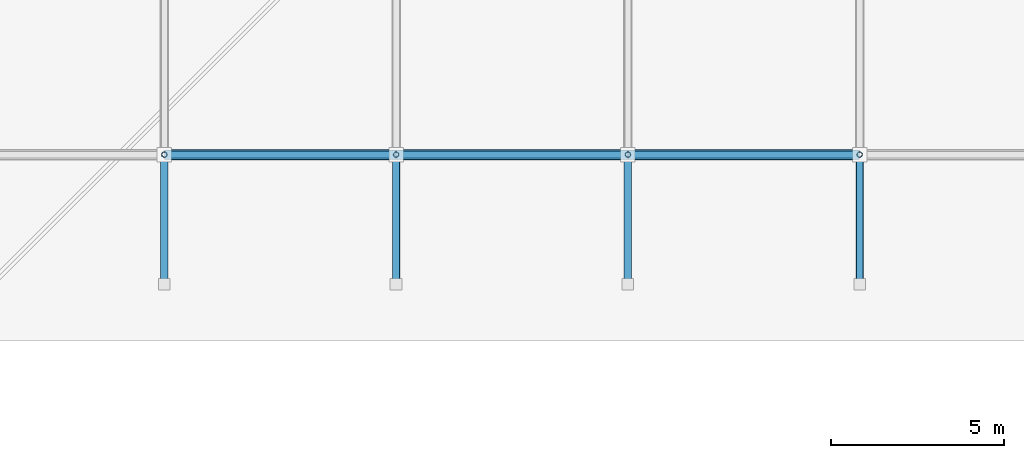
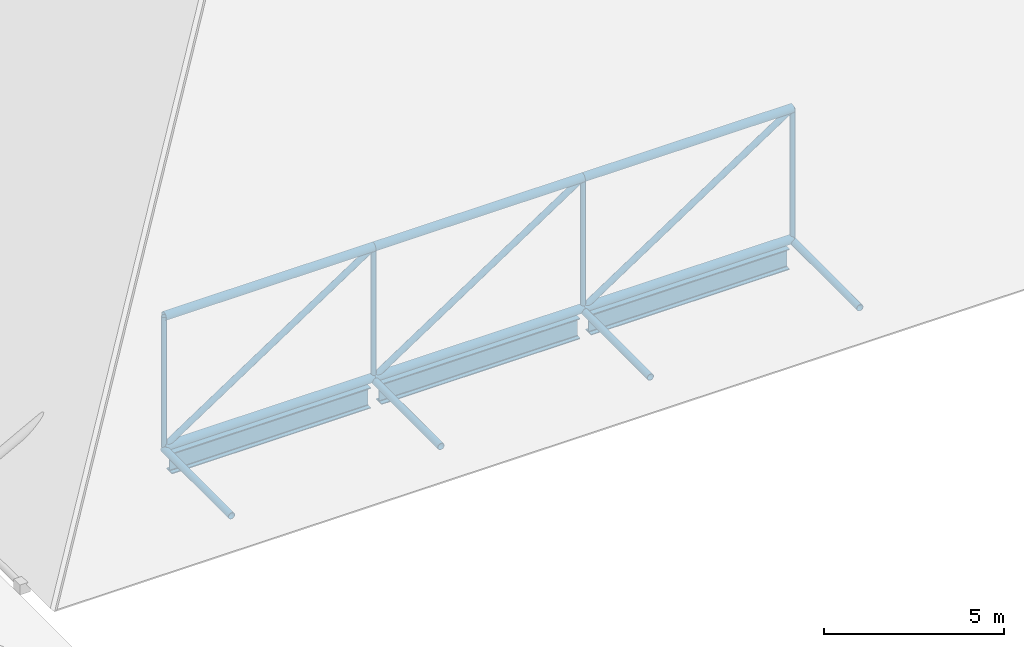
# One storey, part 24 of 77: 17 members, 3 beams.
"""IFC4 building model written with IfcOpenShell, lengths in metres."""

from ifc_helpers import new_model, si_unit, direction, frame, origin, origin_2d, place, context, subcontext, project, spatial, hollow_circle, i_section, extrude, material, material_profile, profile_set, type_object, element, save


model = new_model("IFC4")

# Units and contexts
model_context = context("Model", 3, precision=1e-05, world=origin(), true_north=direction((0.0, 1.0)))
body_context = subcontext(model_context, "Body", "Model", "MODEL_VIEW")
ifc_project = project(units=[si_unit("LENGTHUNIT", "METRE"), si_unit("AREAUNIT", "SQUARE_METRE"), si_unit("VOLUMEUNIT", "CUBIC_METRE"), si_unit("PLANEANGLEUNIT", "RADIAN"), si_unit("MASSUNIT", "GRAM", prefix="KILO")], contexts=[model_context])

# Site, building, storey
site_placement = place(None, origin())
site = spatial("IfcSite", under=ifc_project, at=site_placement, CompositionType="ELEMENT")
building_placement = place(site_placement, origin())
building = spatial("IfcBuilding", under=site, at=building_placement, Name="Nabrawat Pavilion Hospital", CompositionType="ELEMENT")
storey_placement = place(building_placement, frame((0.0, 0.0, 14.85009765625)))
storey = spatial("IfcBuildingStorey", under=building, at=storey_placement, Name="L03", CompositionType="ELEMENT", Elevation=14.85009765625)

# Beams
ifc_material = material(Name="Steel S355", Category="steel")
ifc_material_profile_1 = material_profile(ifc_material, i_section(OverallWidth=0.300048828125, OverallDepth=0.699951171875, WebThickness=0.01708984375, FlangeThickness=0.031982421875, FilletRadius=0.027099609375, at=origin_2d()), Name="HEB 700")
ifc_profile_set_1 = profile_set([ifc_material_profile_1], Name="Steel S355")
beam_type = type_object("IfcBeamType", Name="Main Hall Space-Frame Perimeter Ring Girder HEB 700", PredefinedType="USERDEFINED", material=ifc_profile_set_1)
for number, where, z_axis, x_axis, name in (
    (1, (65.80126953125, 15.60009765625, -0.60009765625), (1.0, 0.0, 0.0), (0.0, 1.0, 0.0), "L03 Main Hall Space-Frame Perimeter Ring Girder 1429"),
    (2, (72.50927734375, 15.60009765625, -0.60009765625), (1.0, 0.0, 0.0), (0.0, 1.0, 0.0), "L03 Main Hall Space-Frame Perimeter Ring Girder 1430"),
    (3, (79.21728515625, 15.60009765625, -0.60009765625), (1.0, 0.0, 0.0), (0.0, 1.0, 0.0), "L03 Main Hall Space-Frame Perimeter Ring Girder 1431"),
):
    element("IfcBeam", number, at=place(storey_placement, frame(where, z_axis=z_axis, x_axis=x_axis)), inside=storey, type_object=beam_type, Name=name, ObjectType="GIRDER", PredefinedType="USERDEFINED", context=body_context, shape_type="SweptSolid", body=[
        extrude(i_section(OverallWidth=0.300048828125, OverallDepth=0.699951171875, WebThickness=0.01708984375, FlangeThickness=0.031982421875, FilletRadius=0.027099609375, at=origin_2d()), origin(), (0.0, 0.0, 1.0), 6.361572265625),
    ])

# Members
ifc_material_profile_2 = material_profile(ifc_material, hollow_circle(Radius=0.109619140625, WallThickness=0.012451171875, at=origin_2d()), Name="CHS 219.1x12.5")
ifc_profile_set_2 = profile_set([ifc_material_profile_2], Name="Steel S355")
member_type_1 = type_object("IfcMemberType", Name="Space Frame Overhanging Eave Strut CHS 219.1x12.5", PredefinedType="STRUT", material=ifc_profile_set_2)
for number, where, z_axis, x_axis, name in (
    (4, (65.6279296875, 15.60009765625, -0.110107421875), (0.0, -0.999996437516, -0.002669261324), (1.0, 0.0, 0.0), "Space Frame Overhanging Eave Strut South 0266"),
    (5, (72.3359375, 15.60009765625, -0.110107421875), (0.0, -0.999996437516, -0.002669261324), (1.0, 0.0, 0.0), "Space Frame Overhanging Eave Strut South 0268"),
    (6, (79.0439453125, 15.60009765625, -0.110107421875), (0.0, -0.999996437516, -0.002669261324), (1.0, 0.0, 0.0), "Space Frame Overhanging Eave Strut South 0270"),
    (7, (85.751953125, 15.60009765625, -0.110107421875), (0.0, -0.999996437516, -0.002669261324), (1.0, 0.0, 0.0), "Space Frame Overhanging Eave Strut South 0272"),
):
    element("IfcMember", number, at=place(storey_placement, frame(where, z_axis=z_axis, x_axis=x_axis)), inside=storey, type_object=member_type_1, Name=name, PredefinedType="STRUT", context=body_context, shape_type="SweptSolid", body=[
        extrude(hollow_circle(Radius=0.109619140625, WallThickness=0.012451171875, at=origin_2d()), origin(), (0.0, 0.0, 1.0), 3.75),
    ])
ifc_material_profile_3 = material_profile(ifc_material, hollow_circle(Radius=0.136474609375, WallThickness=0.012451171875, at=origin_2d()), Name="CHS 273x12.5")
ifc_profile_set_3 = profile_set([ifc_material_profile_3], Name="Steel S355")
member_type_2 = type_object("IfcMemberType", Name="Space Frame Primary Chord CHS 273x12.5", PredefinedType="CHORD", material=ifc_profile_set_3)
for number, where, z_axis, x_axis, name in (
    (8, (65.6279296875, 15.60009765625, 4.373046875), (1.0, 0.0, 0.0), (0.0, 1.0, 0.0), "Space Frame Chord Top X 0026"),
    (9, (65.6279296875, 15.60009765625, -0.050048828125), (1.0, 0.0, 0.0), (0.0, 1.0, 0.0), "Space Frame Chord Bottom X 0027"),
    (10, (72.3359375, 15.60009765625, 4.373046875), (1.0, 0.0, 0.0), (0.0, 1.0, 0.0), "Space Frame Chord Top X 0051"),
    (11, (72.3359375, 15.60009765625, -0.050048828125), (1.0, 0.0, 0.0), (0.0, 1.0, 0.0), "Space Frame Chord Bottom X 0052"),
    (12, (79.0439453125, 15.60009765625, 4.373046875), (1.0, 0.0, 0.0), (0.0, 1.0, 0.0), "Space Frame Chord Top X 0076"),
    (13, (79.0439453125, 15.60009765625, -0.050048828125), (1.0, 0.0, 0.0), (0.0, 1.0, 0.0), "Space Frame Chord Bottom X 0077"),
):
    element("IfcMember", number, at=place(storey_placement, frame(where, z_axis=z_axis, x_axis=x_axis)), inside=storey, type_object=member_type_2, Name=name, PredefinedType="CHORD", context=body_context, shape_type="SweptSolid", body=[
        extrude(hollow_circle(Radius=0.136474609375, WallThickness=0.012451171875, at=origin_2d()), origin(), (0.0, 0.0, 1.0), 6.7080078125),
    ])
ifc_material_profile_4 = material_profile(ifc_material, hollow_circle(Radius=0.096923828125, WallThickness=0.010009765625, at=origin_2d()), Name="CHS 193.7x10")
ifc_profile_set_4 = profile_set([ifc_material_profile_4], Name="Steel S355")
member_type_3 = type_object("IfcMemberType", Name="Space Frame Primary Diagonal CHS 193.7x10", PredefinedType="BRACE", material=ifc_profile_set_4)
for number, where, z_axis, x_axis, name in (
    (14, (65.6279296875, 15.60009765625, -0.050048828125), (0.834849035362, 0.0, 0.5504789625), (0.0, 1.0, 0.0), "Space Frame Diagonal Web X 0031"),
    (15, (72.3359375, 15.60009765625, -0.050048828125), (0.834849035362, 0.0, 0.5504789625), (0.0, 1.0, 0.0), "Space Frame Diagonal Web X 0056"),
    (16, (79.0439453125, 15.60009765625, -0.050048828125), (0.834849035362, 0.0, 0.5504789625), (0.0, 1.0, 0.0), "Space Frame Diagonal Web X 0081"),
):
    element("IfcMember", number, at=place(storey_placement, frame(where, z_axis=z_axis, x_axis=x_axis)), inside=storey, type_object=member_type_3, Name=name, PredefinedType="BRACE", context=body_context, shape_type="SweptSolid", body=[
        extrude(hollow_circle(Radius=0.096923828125, WallThickness=0.010009765625, at=origin_2d()), origin(), (0.0, 0.0, 1.0), 8.034912109375),
    ])
ifc_material_profile_5 = material_profile(ifc_material, hollow_circle(Radius=0.07958984375, WallThickness=0.008056640625, at=origin_2d()), Name="CHS 159x8")
ifc_profile_set_5 = profile_set([ifc_material_profile_5], Name="Steel S355")
member_type_4 = type_object("IfcMemberType", Name="Space Frame Vertical Web Post CHS 159x8", PredefinedType="BRACE", material=ifc_profile_set_5)
for number, where, z_axis, x_axis, name in (
    (17, (65.6279296875, 15.60009765625, -0.050048828125), (0.0, 0.0, 1.0), (1.0, 0.0, 0.0), "Space Frame Diagonal Post 0030"),
    (18, (72.3359375, 15.60009765625, -0.050048828125), (0.0, 0.0, 1.0), (1.0, 0.0, 0.0), "Space Frame Diagonal Post 0055"),
    (19, (79.0439453125, 15.60009765625, -0.050048828125), (0.0, 0.0, 1.0), (1.0, 0.0, 0.0), "Space Frame Diagonal Post 0080"),
    (20, (85.751953125, 15.60009765625, -0.050048828125), (0.0, 0.0, 1.0), (1.0, 0.0, 0.0), "Space Frame Diagonal Post 0105"),
):
    element("IfcMember", number, at=place(storey_placement, frame(where, z_axis=z_axis, x_axis=x_axis)), inside=storey, type_object=member_type_4, Name=name, PredefinedType="BRACE", context=body_context, shape_type="SweptSolid", body=[
        extrude(hollow_circle(Radius=0.07958984375, WallThickness=0.008056640625, at=origin_2d()), origin(), (0.0, 0.0, 1.0), 4.423095703125),
    ])

save(model, "model.ifc")
